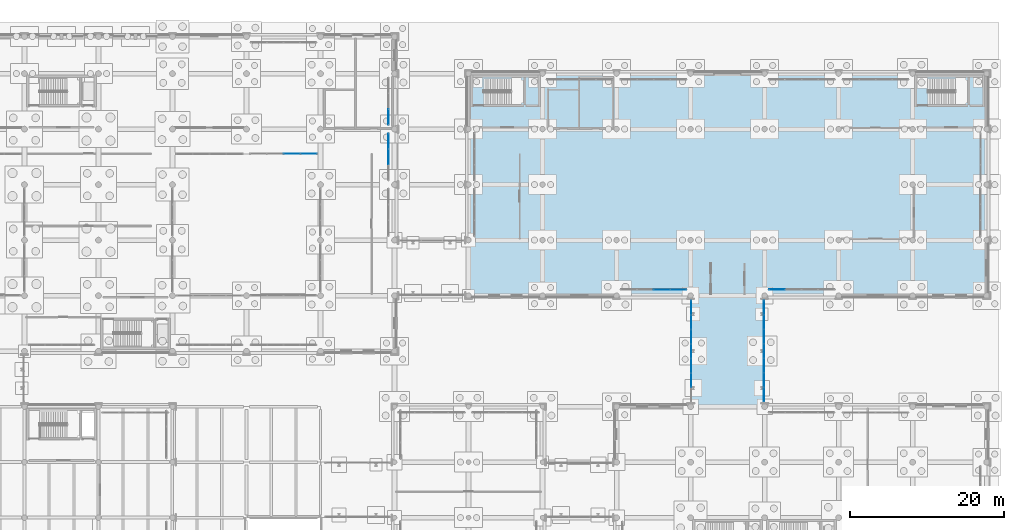
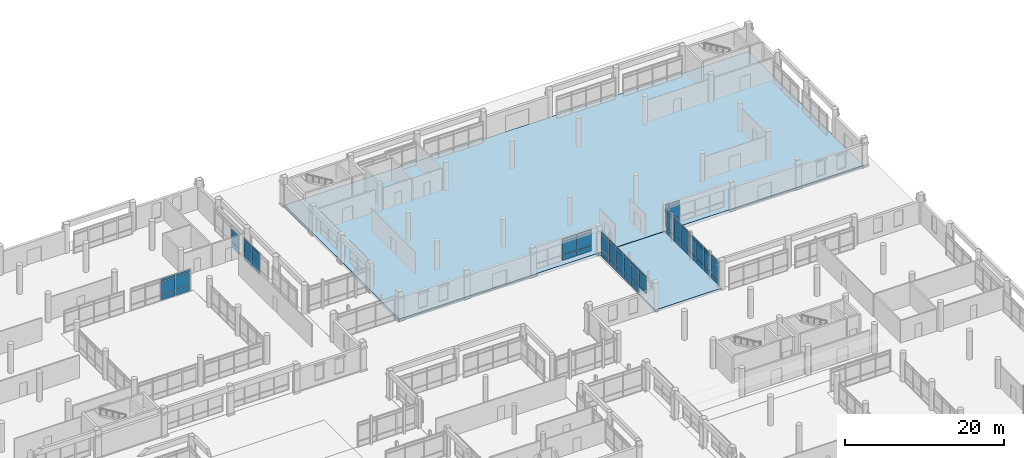
# One storey, part 153 of 196: 61 plates, 2 slabs, 7 elements without a shape of their own.
"""IFC4 building model written with IfcOpenShell, lengths in metres."""

import ifcopenshell
import ifcopenshell.guid

model = None  # the IFC model being written
_history = None  # IfcOwnerHistory: only IFC2X3 demands one
_inside = {}  # id of a spatial element -> (the spatial element, [elements in it])
_under = {}  # id of a project, library or spatial element -> (it, [spatial elements below it])
_declared = {}  # id of a project -> (the project, [libraries it declares])
_typed = {}  # id of a type object -> (the type object, [elements of that type])
_made_of = {}  # id of a material, layer set ... -> (it, [elements and type objects made of it])


def new_model(schema):
    """Start an empty IFC model of exactly this schema.

    Asked for "IFC4X3", IfcOpenShell would pick the latest addendum, in which some entities
    have other attributes; the version numbers below select the first issue.
    IFC2X3 requires an IfcOwnerHistory on every rooted entity: one is made here for all.
    """
    global model, _history
    if schema == "IFC4X3":
        model = ifcopenshell.file(schema_version=(4, 3, 0, 0))
    else:
        model = ifcopenshell.file(schema=schema)
    _inside.clear()
    _under.clear()
    _declared.clear()
    _typed.clear()
    _made_of.clear()
    _history = None
    if model.schema == "IFC2X3":
        org = make("IfcOrganization", Name="unknown")
        user = make(
            "IfcPersonAndOrganization",
            ThePerson=make("IfcPerson", FamilyName="unknown"),
            TheOrganization=org,
        )
        app = make(
            "IfcApplication",
            ApplicationDeveloper=org,
            Version="unknown",
            ApplicationFullName="unknown",
            ApplicationIdentifier="unknown",
        )
        _history = make(
            "IfcOwnerHistory",
            OwningUser=user,
            OwningApplication=app,
            ChangeAction="ADDED",
            CreationDate=0,
        )
    return model


def make(cls, **values):
    """One entity of the class cls with the attributes given. An attribute that is None is left unset."""
    return model.create_entity(
        cls, **{name: value for name, value in values.items() if value is not None}
    )


def rooted(cls, **values):
    """An entity with a GlobalId (a new one), such as an element, a storey or a relation."""
    return make(cls, GlobalId=ifcopenshell.guid.new(), OwnerHistory=_history, **values)


def si_unit(unit_type, name, prefix=None):
    """IfcSIUnit, for example si_unit("LENGTHUNIT", "METRE", prefix="MILLI")."""
    return make("IfcSIUnit", UnitType=unit_type, Prefix=prefix, Name=name)


def assignment(units):
    """IfcUnitAssignment: the units of a project."""
    return None if units is None else make("IfcUnitAssignment", Units=units)


def point(xyz):
    """IfcCartesianPoint."""
    return None if xyz is None else make("IfcCartesianPoint", Coordinates=xyz)


def direction(xyz):
    """IfcDirection."""
    return None if xyz is None else make("IfcDirection", DirectionRatios=xyz)


def frame(location, z_axis=None, x_axis=None):
    """IfcAxis2Placement3D, a coordinate frame: its origin and axes. An axis left out is left unset."""
    return make(
        "IfcAxis2Placement3D",
        Location=point(location),
        Axis=direction(z_axis),
        RefDirection=direction(x_axis),
    )


def frame_2d(location, x_axis=None):
    """IfcAxis2Placement2D, a coordinate frame in the plane: its origin and x axis."""
    return make(
        "IfcAxis2Placement2D", Location=point(location), RefDirection=direction(x_axis)
    )


def origin():
    """The frame at (0, 0, 0) with its axes left unset."""
    return frame((0.0, 0.0, 0.0))


def origin_2d():
    """The frame at (0, 0) in the plane with its x axis left unset."""
    return frame_2d((0.0, 0.0))


def place(relative_to, where):
    """IfcLocalPlacement: puts the frame where relative to a parent placement (None: the world)."""
    return make(
        "IfcLocalPlacement", PlacementRelTo=relative_to, RelativePlacement=where
    )


def context(
    kind, dimensions, precision=None, world=None, true_north=None, identifier=None
):
    """IfcGeometricRepresentationContext, for example the 3D "Model" context."""
    return make(
        "IfcGeometricRepresentationContext",
        ContextIdentifier=identifier,
        ContextType=kind,
        CoordinateSpaceDimension=dimensions,
        Precision=precision,
        WorldCoordinateSystem=world,
        TrueNorth=true_north,
    )


def subcontext(parent, identifier, kind, view, scale=None):
    """IfcGeometricRepresentationSubContext, for example "Body" below "Model"."""
    return make(
        "IfcGeometricRepresentationSubContext",
        ContextIdentifier=identifier,
        ContextType=kind,
        ParentContext=parent,
        TargetScale=scale,
        TargetView=view,
    )


def project(units=None, contexts=None):
    """IfcProject with its units and contexts."""
    return rooted(
        "IfcProject",
        Name="project",
        RepresentationContexts=contexts,
        UnitsInContext=assignment(units),
    )


def spatial(cls, under=None, at=None, **own):
    """A site, building, storey or space (cls), placed at a placement, below another one or the project."""
    s = rooted(cls, ObjectPlacement=at, **own)
    if under is not None:
        _under.setdefault(under.id(), (under, []))[1].append(s)
    return s


def polyline(points):
    """IfcPolyline through the points."""
    return make("IfcPolyline", Points=[point(p) for p in points])


def profile(cls, at=None, kind="AREA", **sizes):
    """A parametric profile (cls). Its sizes go by their IFC names, for example OverallWidth=200.0."""
    return make(cls, ProfileType=kind, Position=at, **sizes)


def rectangle(**sizes):
    """IfcRectangleProfileDef."""
    return profile("IfcRectangleProfileDef", **sizes)


def outline(outer, holes=None, kind="AREA"):
    """IfcArbitraryClosedProfileDef: a profile drawn as a closed curve; with holes, ...WithVoids."""
    if holes is None:
        return make("IfcArbitraryClosedProfileDef", ProfileType=kind, OuterCurve=outer)
    return make(
        "IfcArbitraryProfileDefWithVoids",
        ProfileType=kind,
        OuterCurve=outer,
        InnerCurves=holes,
    )


def extrude(swept, where, along, depth):
    """IfcExtrudedAreaSolid: the profile swept, set in the frame where, extruded along a direction by depth."""
    return make(
        "IfcExtrudedAreaSolid",
        SweptArea=swept,
        Position=where,
        ExtrudedDirection=direction(along),
        Depth=depth,
    )


def shape(context_of_items, identifier, shape_type, items):
    """IfcShapeRepresentation: the items that make up one representation, for example the "Body"."""
    return make(
        "IfcShapeRepresentation",
        ContextOfItems=context_of_items,
        RepresentationIdentifier=identifier,
        RepresentationType=shape_type,
        Items=items,
    )


def material(Name=None, Category=None):
    """IfcMaterial."""
    return make("IfcMaterial", Name=Name, Category=Category)


def layer(
    of_material, thickness, ventilated=None, Name=None, Category=None, Priority=None
):
    """IfcMaterialLayer: one layer of a wall or slab, of a material (None: an air gap)."""
    return make(
        "IfcMaterialLayer",
        Material=of_material,
        LayerThickness=thickness,
        IsVentilated=ventilated,
        Name=Name,
        Category=Category,
        Priority=Priority,
    )


def layer_set(layers, Name=None):
    """IfcMaterialLayerSet."""
    return make("IfcMaterialLayerSet", MaterialLayers=layers, LayerSetName=Name)


def made_of(thing, what):
    """Note that an element or type object is made of a material, layer set ...; save() writes the relation."""
    if what is not None:
        _made_of.setdefault(what.id(), (what, []))[1].append(thing)
    return thing


def type_object(cls, material=None, **own):
    """A type object (cls), such as IfcWallType, which elements share."""
    return made_of(rooted(cls, **own), material)


def element(
    cls,
    number,
    at=None,
    inside=None,
    cuts=None,
    type_object=None,
    material=None,
    context=None,
    identifier="Body",
    shape_type=None,
    held_by="IfcProductDefinitionShape",
    body=None,
    shapes=None,
    **own,
):
    """One element of the class cls, such as IfcWall. Its Tag is "e" and its number.

    at: its placement. inside: the storey or other place that contains it. cuts: it is an
    opening in that element (IfcRelVoidsElement). A single representation is given by context,
    identifier, shape_type and body (its items); several are given by shapes. held_by: the class
    of the entity that holds the representations. save() writes the other relations.
    """
    e = rooted(cls, Tag="e%d" % number, ObjectPlacement=at, **own)
    if body is not None:
        shapes = [shape(context, identifier, shape_type, body)]
    if shapes is not None:
        e.Representation = make(held_by, Representations=shapes)
    if inside is not None:
        _inside.setdefault(inside.id(), (inside, []))[1].append(e)
    if cuts is not None:
        rooted(
            "IfcRelVoidsElement", RelatingBuildingElement=cuts, RelatedOpeningElement=e
        )
    if type_object is not None:
        _typed.setdefault(type_object.id(), (type_object, []))[1].append(e)
    return made_of(e, material)


def aggregate(whole, parts):
    """IfcRelAggregates: a whole, such as a stair, and the parts it consists of."""
    return rooted("IfcRelAggregates", RelatingObject=whole, RelatedObjects=parts)


def save(model, path):
    """Write the relations noted so far, then the file.

    IfcRelAggregates (storeys below a building ...), IfcRelContainedInSpatialStructure (elements
    in a storey), IfcRelDefinesByType, IfcRelAssociatesMaterial and IfcRelDeclares: one each for
    every whole, place, type object, material and project.
    """
    for whole, parts in _under.values():
        aggregate(whole, parts)
    for where, things in _inside.values():
        rooted(
            "IfcRelContainedInSpatialStructure",
            RelatedElements=things,
            RelatingStructure=where,
        )
    for kind, things in _typed.values():
        rooted("IfcRelDefinesByType", RelatedObjects=things, RelatingType=kind)
    for what, things in _made_of.values():
        rooted("IfcRelAssociatesMaterial", RelatedObjects=things, RelatingMaterial=what)
    for by, libraries in _declared.values():
        rooted("IfcRelDeclares", RelatingContext=by, RelatedDefinitions=libraries)
    model.write(path)


model = new_model("IFC4")

# Units and contexts
model_context = context("Model", 3, precision=1e-05, world=origin(), true_north=direction((0.0, 1.0)))
body_context = subcontext(model_context, "Body", "Model", "MODEL_VIEW")
ifc_project = project(units=[si_unit("LENGTHUNIT", "METRE"), si_unit("AREAUNIT", "SQUARE_METRE"), si_unit("VOLUMEUNIT", "CUBIC_METRE"), si_unit("PLANEANGLEUNIT", "RADIAN"), si_unit("MASSUNIT", "GRAM", prefix="KILO")], contexts=[model_context])

# Site, building, storey
site_placement = place(None, origin())
site = spatial("IfcSite", under=ifc_project, at=site_placement, CompositionType="ELEMENT")
building_placement = place(site_placement, origin())
building = spatial("IfcBuilding", under=site, at=building_placement, Name="Asteropetra Specialist Clinic", CompositionType="ELEMENT")
storey_placement = place(building_placement, origin())
storey = spatial("IfcBuildingStorey", under=building, at=storey_placement, Name="L00", CompositionType="ELEMENT", Elevation=0.0)

# Curtain wall, plates
ifc_material_1 = material(Name="Aluminium and low-E glass", Category="aluminium")
ifc_layer_1 = layer(ifc_material_1, 0.14990234375)
ifc_layer_set_1 = layer_set([ifc_layer_1], Name="Aluminium and low-E glass")
curtain_wall_type_1 = type_object("IfcCurtainWallType", Name="CW-SYS-05", PredefinedType="USERDEFINED", material=ifc_layer_set_1)
curtain_wall_1_placement = place(storey_placement, origin())
curtain_wall_1 = element("IfcCurtainWall", 1, at=curtain_wall_1_placement, inside=storey, type_object=curtain_wall_type_1, Name="Curtain Wall CW-012", ObjectType="UNITISED CURTAIN WALL", PredefinedType="USERDEFINED")
ifc_material_2 = material(Name="Low-E double glazing", Category="glass")
ifc_layer_2 = layer(ifc_material_2, 0.028076171875)
ifc_layer_set_2 = layer_set([ifc_layer_2], Name="Low-E double glazing")
plate_type_1 = type_object("IfcPlateType", Name="CWP-GLZ-28", PredefinedType="CURTAIN_PANEL", material=ifc_layer_set_2)
plate_1_placement = place(storey_placement, frame((65.6513671875, 95.199951171875, 0.074951171875), z_axis=(0.0, 0.0, 1.0), x_axis=(-1.0, 0.0, 0.0)))
plate_1 = element("IfcPlate", 2, at=plate_1_placement, type_object=plate_type_1, Name="CW-012 panel 1.1", PredefinedType="CURTAIN_PANEL", context=body_context, shape_type="SweptSolid", body=[
    extrude(rectangle(XDim=2.0673828125, YDim=0.028076171875, at=origin_2d()), origin(), (0.0, 0.0, 1.0), 0.78759765625),
])
plate_2_placement = place(storey_placement, frame((65.6513671875, 95.199951171875, 0.9375), z_axis=(0.0, 0.0, 1.0), x_axis=(-1.0, 0.0, 0.0)))
plate_2 = element("IfcPlate", 3, at=plate_2_placement, type_object=plate_type_1, Name="CW-012 panel 1.2", PredefinedType="CURTAIN_PANEL", context=body_context, shape_type="SweptSolid", body=[
    extrude(rectangle(XDim=2.0673828125, YDim=0.028076171875, at=origin_2d()), origin(), (0.0, 0.0, 1.0), 1.945068359375),
])
plate_3_placement = place(storey_placement, frame((65.6513671875, 95.199951171875, 2.95751953125), z_axis=(0.0, 0.0, 1.0), x_axis=(-1.0, 0.0, 0.0)))
plate_3 = element("IfcPlate", 4, at=plate_3_placement, type_object=plate_type_1, Name="CW-012 panel 1.3", PredefinedType="CURTAIN_PANEL", context=body_context, shape_type="SweptSolid", body=[
    extrude(rectangle(XDim=2.0673828125, YDim=0.028076171875, at=origin_2d()), origin(), (0.0, 0.0, 1.0), 0.387451171875),
])
plate_4_placement = place(storey_placement, frame((63.489990234375, 95.199951171875, 0.074951171875), z_axis=(0.0, 0.0, 1.0), x_axis=(-1.0, 0.0, 0.0)))
plate_4 = element("IfcPlate", 5, at=plate_4_placement, type_object=plate_type_1, Name="CW-012 panel 2.1", PredefinedType="CURTAIN_PANEL", context=body_context, shape_type="SweptSolid", body=[
    extrude(rectangle(XDim=2.10498046875, YDim=0.028076171875, at=origin_2d()), origin(), (0.0, 0.0, 1.0), 0.78759765625),
])
plate_5_placement = place(storey_placement, frame((63.489990234375, 95.199951171875, 0.9375), z_axis=(0.0, 0.0, 1.0), x_axis=(-1.0, 0.0, 0.0)))
plate_5 = element("IfcPlate", 6, at=plate_5_placement, type_object=plate_type_1, Name="CW-012 panel 2.2", PredefinedType="CURTAIN_PANEL", context=body_context, shape_type="SweptSolid", body=[
    extrude(rectangle(XDim=2.10498046875, YDim=0.028076171875, at=origin_2d()), origin(), (0.0, 0.0, 1.0), 1.945068359375),
])
plate_6_placement = place(storey_placement, frame((63.489990234375, 95.199951171875, 2.95751953125), z_axis=(0.0, 0.0, 1.0), x_axis=(-1.0, 0.0, 0.0)))
plate_6 = element("IfcPlate", 7, at=plate_6_placement, type_object=plate_type_1, Name="CW-012 panel 2.3", PredefinedType="CURTAIN_PANEL", context=body_context, shape_type="SweptSolid", body=[
    extrude(rectangle(XDim=2.10498046875, YDim=0.028076171875, at=origin_2d()), origin(), (0.0, 0.0, 1.0), 0.387451171875),
])
aggregate(curtain_wall_1, [plate_1, plate_2, plate_3, plate_4, plate_5, plate_6])

ifc_material_3 = material(Name="Aluminium and low-E glass", Category="aluminium")
ifc_layer_3 = layer(ifc_material_3, 0.179931640625)
ifc_layer_set_3 = layer_set([ifc_layer_3], Name="Aluminium and low-E glass")
curtain_wall_type_2 = type_object("IfcCurtainWallType", Name="CW-SYS-10", PredefinedType="USERDEFINED", material=ifc_layer_set_3)
curtain_wall_2_placement = place(storey_placement, origin())
curtain_wall_2 = element("IfcCurtainWall", 8, at=curtain_wall_2_placement, inside=storey, type_object=curtain_wall_type_2, Name="Curtain Wall CW-208", ObjectType="STICK GLAZED COLONNADE", PredefinedType="USERDEFINED")
plate_7_placement = place(storey_placement, frame((111.472412109375, 77.580078125, 0.06494140625), z_axis=(0.0, 0.0, 1.0), x_axis=(1.0, 0.0, 0.0)))
plate_7 = element("IfcPlate", 9, at=plate_7_placement, type_object=plate_type_1, Name="CW-208 panel 3.1", PredefinedType="CURTAIN_PANEL", context=body_context, shape_type="SweptSolid", body=[
    extrude(rectangle(XDim=2.080078125, YDim=0.028076171875, at=origin_2d()), origin(), (0.0, 0.0, 1.0), 0.802490234375),
])
plate_8_placement = place(storey_placement, frame((111.472412109375, 77.580078125, 0.932373046875), z_axis=(0.0, 0.0, 1.0), x_axis=(1.0, 0.0, 0.0)))
plate_8 = element("IfcPlate", 10, at=plate_8_placement, type_object=plate_type_1, Name="CW-208 panel 3.2", PredefinedType="CURTAIN_PANEL", context=body_context, shape_type="SweptSolid", body=[
    extrude(rectangle(XDim=2.080078125, YDim=0.028076171875, at=origin_2d()), origin(), (0.0, 0.0, 1.0), 1.955078125),
])
plate_9_placement = place(storey_placement, frame((111.472412109375, 77.580078125, 2.95263671875), z_axis=(0.0, 0.0, 1.0), x_axis=(1.0, 0.0, 0.0)))
plate_9 = element("IfcPlate", 11, at=plate_9_placement, type_object=plate_type_1, Name="CW-208 panel 3.3", PredefinedType="CURTAIN_PANEL", context=body_context, shape_type="SweptSolid", body=[
    extrude(rectangle(XDim=2.080078125, YDim=0.028076171875, at=origin_2d()), origin(), (0.0, 0.0, 1.0), 0.402587890625),
])
plate_10_placement = place(storey_placement, frame((113.601318359375, 77.580078125, 0.06494140625), z_axis=(0.0, 0.0, 1.0), x_axis=(1.0, 0.0, 0.0)))
plate_10 = element("IfcPlate", 12, at=plate_10_placement, type_object=plate_type_1, Name="CW-208 panel 4.1", PredefinedType="CURTAIN_PANEL", context=body_context, shape_type="SweptSolid", body=[
    extrude(rectangle(XDim=2.047607421875, YDim=0.028076171875, at=origin_2d()), origin(), (0.0, 0.0, 1.0), 0.802490234375),
])
plate_11_placement = place(storey_placement, frame((113.601318359375, 77.580078125, 0.932373046875), z_axis=(0.0, 0.0, 1.0), x_axis=(1.0, 0.0, 0.0)))
plate_11 = element("IfcPlate", 13, at=plate_11_placement, type_object=plate_type_1, Name="CW-208 panel 4.2", PredefinedType="CURTAIN_PANEL", context=body_context, shape_type="SweptSolid", body=[
    extrude(rectangle(XDim=2.047607421875, YDim=0.028076171875, at=origin_2d()), origin(), (0.0, 0.0, 1.0), 1.955078125),
])
plate_12_placement = place(storey_placement, frame((113.601318359375, 77.580078125, 2.95263671875), z_axis=(0.0, 0.0, 1.0), x_axis=(1.0, 0.0, 0.0)))
plate_12 = element("IfcPlate", 14, at=plate_12_placement, type_object=plate_type_1, Name="CW-208 panel 4.3", PredefinedType="CURTAIN_PANEL", context=body_context, shape_type="SweptSolid", body=[
    extrude(rectangle(XDim=2.047607421875, YDim=0.028076171875, at=origin_2d()), origin(), (0.0, 0.0, 1.0), 0.402587890625),
])
aggregate(curtain_wall_2, [plate_7, plate_8, plate_9, plate_10, plate_11, plate_12])

ifc_material_4 = material(Name="Aluminium and low-E glass", Category="aluminium")
ifc_layer_4 = layer(ifc_material_4, 0.135009765625)
ifc_layer_set_4 = layer_set([ifc_layer_4], Name="Aluminium and low-E glass")
curtain_wall_type_3 = type_object("IfcCurtainWallType", Name="CW-SYS-12", PredefinedType="USERDEFINED", material=ifc_layer_set_4)
curtain_wall_3_placement = place(storey_placement, origin())
curtain_wall_3 = element("IfcCurtainWall", 15, at=curtain_wall_3_placement, inside=storey, type_object=curtain_wall_type_3, Name="Curtain Wall CW-117", ObjectType="STICK GLAZED COLONNADE", PredefinedType="USERDEFINED")
ifc_material_5 = material(Name="Low-E acoustic double glazing", Category="glass")
ifc_layer_5 = layer(ifc_material_5, 0.031982421875)
ifc_layer_set_5 = layer_set([ifc_layer_5], Name="Low-E acoustic double glazing")
plate_type_2 = type_object("IfcPlateType", Name="CWP-GLZ-32", PredefinedType="CURTAIN_PANEL", material=ifc_layer_set_5)
plate_13_placement = place(storey_placement, frame((115.280029296875, 65.834228515625, 0.9375), z_axis=(0.0, 0.0, 1.0), x_axis=(0.0, 1.0, 0.0)))
plate_13 = element("IfcPlate", 16, at=plate_13_placement, type_object=plate_type_2, Name="CW-117 panel 2.2", PredefinedType="CURTAIN_PANEL", context=body_context, shape_type="SweptSolid", body=[
    extrude(rectangle(XDim=1.807861328125, YDim=0.031982421875, at=origin_2d()), origin(), (0.0, 0.0, 1.0), 2.294921875),
])
plate_14_placement = place(storey_placement, frame((115.280029296875, 65.834228515625, 3.3076171875), z_axis=(0.0, 0.0, 1.0), x_axis=(0.0, 1.0, 0.0)))
plate_14 = element("IfcPlate", 17, at=plate_14_placement, type_object=plate_type_2, Name="CW-117 panel 2.3", PredefinedType="CURTAIN_PANEL", context=body_context, shape_type="SweptSolid", body=[
    extrude(rectangle(XDim=1.807861328125, YDim=0.031982421875, at=origin_2d()), origin(), (0.0, 0.0, 1.0), 0.387451171875),
])
plate_15_placement = place(storey_placement, frame((115.280029296875, 67.717041015625, 0.074951171875), z_axis=(0.0, 0.0, 1.0), x_axis=(0.0, 1.0, 0.0)))
plate_15 = element("IfcPlate", 18, at=plate_15_placement, type_object=plate_type_2, Name="CW-117 panel 3.1", PredefinedType="CURTAIN_PANEL", context=body_context, shape_type="SweptSolid", body=[
    extrude(rectangle(XDim=1.807861328125, YDim=0.031982421875, at=origin_2d()), origin(), (0.0, 0.0, 1.0), 0.78759765625),
])
plate_16_placement = place(storey_placement, frame((115.280029296875, 67.717041015625, 0.9375), z_axis=(0.0, 0.0, 1.0), x_axis=(0.0, 1.0, 0.0)))
plate_16 = element("IfcPlate", 19, at=plate_16_placement, type_object=plate_type_2, Name="CW-117 panel 3.2", PredefinedType="CURTAIN_PANEL", context=body_context, shape_type="SweptSolid", body=[
    extrude(rectangle(XDim=1.807861328125, YDim=0.031982421875, at=origin_2d()), origin(), (0.0, 0.0, 1.0), 2.294921875),
])
plate_17_placement = place(storey_placement, frame((115.280029296875, 67.717041015625, 3.3076171875), z_axis=(0.0, 0.0, 1.0), x_axis=(0.0, 1.0, 0.0)))
plate_17 = element("IfcPlate", 20, at=plate_17_placement, type_object=plate_type_2, Name="CW-117 panel 3.3", PredefinedType="CURTAIN_PANEL", context=body_context, shape_type="SweptSolid", body=[
    extrude(rectangle(XDim=1.807861328125, YDim=0.031982421875, at=origin_2d()), origin(), (0.0, 0.0, 1.0), 0.387451171875),
])
plate_18_placement = place(storey_placement, frame((115.280029296875, 69.60009765625, 0.074951171875), z_axis=(0.0, 0.0, 1.0), x_axis=(0.0, 1.0, 0.0)))
plate_18 = element("IfcPlate", 21, at=plate_18_placement, type_object=plate_type_2, Name="CW-117 panel 4.1", PredefinedType="CURTAIN_PANEL", context=body_context, shape_type="SweptSolid", body=[
    extrude(rectangle(XDim=1.807861328125, YDim=0.031982421875, at=origin_2d()), origin(), (0.0, 0.0, 1.0), 0.78759765625),
])
plate_19_placement = place(storey_placement, frame((115.280029296875, 69.60009765625, 0.9375), z_axis=(0.0, 0.0, 1.0), x_axis=(0.0, 1.0, 0.0)))
plate_19 = element("IfcPlate", 22, at=plate_19_placement, type_object=plate_type_2, Name="CW-117 panel 4.2", PredefinedType="CURTAIN_PANEL", context=body_context, shape_type="SweptSolid", body=[
    extrude(rectangle(XDim=1.807861328125, YDim=0.031982421875, at=origin_2d()), origin(), (0.0, 0.0, 1.0), 2.294921875),
])
plate_20_placement = place(storey_placement, frame((115.280029296875, 69.60009765625, 3.3076171875), z_axis=(0.0, 0.0, 1.0), x_axis=(0.0, 1.0, 0.0)))
plate_20 = element("IfcPlate", 23, at=plate_20_placement, type_object=plate_type_2, Name="CW-117 panel 4.3", PredefinedType="CURTAIN_PANEL", context=body_context, shape_type="SweptSolid", body=[
    extrude(rectangle(XDim=1.807861328125, YDim=0.031982421875, at=origin_2d()), origin(), (0.0, 0.0, 1.0), 0.387451171875),
])
plate_21_placement = place(storey_placement, frame((115.280029296875, 71.48291015625, 0.074951171875), z_axis=(0.0, 0.0, 1.0), x_axis=(0.0, 1.0, 0.0)))
plate_21 = element("IfcPlate", 24, at=plate_21_placement, type_object=plate_type_2, Name="CW-117 panel 5.1", PredefinedType="CURTAIN_PANEL", context=body_context, shape_type="SweptSolid", body=[
    extrude(rectangle(XDim=1.807861328125, YDim=0.031982421875, at=origin_2d()), origin(), (0.0, 0.0, 1.0), 0.78759765625),
])
plate_22_placement = place(storey_placement, frame((115.280029296875, 71.48291015625, 0.9375), z_axis=(0.0, 0.0, 1.0), x_axis=(0.0, 1.0, 0.0)))
plate_22 = element("IfcPlate", 25, at=plate_22_placement, type_object=plate_type_2, Name="CW-117 panel 5.2", PredefinedType="CURTAIN_PANEL", context=body_context, shape_type="SweptSolid", body=[
    extrude(rectangle(XDim=1.807861328125, YDim=0.031982421875, at=origin_2d()), origin(), (0.0, 0.0, 1.0), 2.294921875),
])
plate_23_placement = place(storey_placement, frame((115.280029296875, 71.48291015625, 3.3076171875), z_axis=(0.0, 0.0, 1.0), x_axis=(0.0, 1.0, 0.0)))
plate_23 = element("IfcPlate", 26, at=plate_23_placement, type_object=plate_type_2, Name="CW-117 panel 5.3", PredefinedType="CURTAIN_PANEL", context=body_context, shape_type="SweptSolid", body=[
    extrude(rectangle(XDim=1.807861328125, YDim=0.031982421875, at=origin_2d()), origin(), (0.0, 0.0, 1.0), 0.387451171875),
])
plate_24_placement = place(storey_placement, frame((115.280029296875, 73.36572265625, 0.074951171875), z_axis=(0.0, 0.0, 1.0), x_axis=(0.0, 1.0, 0.0)))
plate_24 = element("IfcPlate", 27, at=plate_24_placement, type_object=plate_type_2, Name="CW-117 panel 6.1", PredefinedType="CURTAIN_PANEL", context=body_context, shape_type="SweptSolid", body=[
    extrude(rectangle(XDim=1.807861328125, YDim=0.031982421875, at=origin_2d()), origin(), (0.0, 0.0, 1.0), 0.78759765625),
])
plate_25_placement = place(storey_placement, frame((115.280029296875, 73.36572265625, 0.9375), z_axis=(0.0, 0.0, 1.0), x_axis=(0.0, 1.0, 0.0)))
plate_25 = element("IfcPlate", 28, at=plate_25_placement, type_object=plate_type_2, Name="CW-117 panel 6.2", PredefinedType="CURTAIN_PANEL", context=body_context, shape_type="SweptSolid", body=[
    extrude(rectangle(XDim=1.807861328125, YDim=0.031982421875, at=origin_2d()), origin(), (0.0, 0.0, 1.0), 2.294921875),
])
plate_26_placement = place(storey_placement, frame((115.280029296875, 73.36572265625, 3.3076171875), z_axis=(0.0, 0.0, 1.0), x_axis=(0.0, 1.0, 0.0)))
plate_26 = element("IfcPlate", 29, at=plate_26_placement, type_object=plate_type_2, Name="CW-117 panel 6.3", PredefinedType="CURTAIN_PANEL", context=body_context, shape_type="SweptSolid", body=[
    extrude(rectangle(XDim=1.807861328125, YDim=0.031982421875, at=origin_2d()), origin(), (0.0, 0.0, 1.0), 0.387451171875),
])
plate_27_placement = place(storey_placement, frame((115.280029296875, 75.229736328125, 0.074951171875), z_axis=(0.0, 0.0, 1.0), x_axis=(0.0, 1.0, 0.0)))
plate_27 = element("IfcPlate", 30, at=plate_27_placement, type_object=plate_type_2, Name="CW-117 panel 7.1", PredefinedType="CURTAIN_PANEL", context=body_context, shape_type="SweptSolid", body=[
    extrude(rectangle(XDim=1.770263671875, YDim=0.031982421875, at=origin_2d()), origin(), (0.0, 0.0, 1.0), 0.78759765625),
])
plate_28_placement = place(storey_placement, frame((115.280029296875, 75.229736328125, 0.9375), z_axis=(0.0, 0.0, 1.0), x_axis=(0.0, 1.0, 0.0)))
plate_28 = element("IfcPlate", 31, at=plate_28_placement, type_object=plate_type_2, Name="CW-117 panel 7.2", PredefinedType="CURTAIN_PANEL", context=body_context, shape_type="SweptSolid", body=[
    extrude(rectangle(XDim=1.770263671875, YDim=0.031982421875, at=origin_2d()), origin(), (0.0, 0.0, 1.0), 2.294921875),
])
plate_29_placement = place(storey_placement, frame((115.280029296875, 75.229736328125, 3.3076171875), z_axis=(0.0, 0.0, 1.0), x_axis=(0.0, 1.0, 0.0)))
plate_29 = element("IfcPlate", 32, at=plate_29_placement, type_object=plate_type_2, Name="CW-117 panel 7.3", PredefinedType="CURTAIN_PANEL", context=body_context, shape_type="SweptSolid", body=[
    extrude(rectangle(XDim=1.770263671875, YDim=0.031982421875, at=origin_2d()), origin(), (0.0, 0.0, 1.0), 0.387451171875),
])
aggregate(curtain_wall_3, [plate_13, plate_14, plate_15, plate_16, plate_17, plate_18, plate_19, plate_20, plate_21, plate_22, plate_23, plate_24, plate_25, plate_26, plate_27, plate_28, plate_29])

ifc_material_6 = material(Name="Aluminium and low-E glass", Category="aluminium")
ifc_layer_6 = layer(ifc_material_6, 0.179931640625)
ifc_layer_set_6 = layer_set([ifc_layer_6], Name="Aluminium and low-E glass")
curtain_wall_type_4 = type_object("IfcCurtainWallType", Name="CW-SYS-01", PredefinedType="USERDEFINED", material=ifc_layer_set_6)
curtain_wall_4_placement = place(storey_placement, origin())
curtain_wall_4 = element("IfcCurtainWall", 33, at=curtain_wall_4_placement, inside=storey, type_object=curtain_wall_type_4, Name="Curtain Wall CW-118", ObjectType="UNITISED CURTAIN WALL", PredefinedType="USERDEFINED")
ifc_material_7 = material(Name="Solar-control triple glazing", Category="glass")
ifc_layer_7 = layer(ifc_material_7, 0.035888671875)
ifc_layer_set_7 = layer_set([ifc_layer_7], Name="Solar-control triple glazing")
plate_type_3 = type_object("IfcPlateType", Name="CWP-GLZ-36", PredefinedType="CURTAIN_PANEL", material=ifc_layer_set_7)
plate_30_placement = place(storey_placement, frame((124.719970703125, 75.232421875, 0.06494140625), z_axis=(0.0, 0.0, 1.0), x_axis=(0.0, -1.0, 0.0)))
plate_30 = element("IfcPlate", 34, at=plate_30_placement, type_object=plate_type_3, Name="CW-118 panel 1.1", PredefinedType="CURTAIN_PANEL", context=body_context, shape_type="SweptSolid", body=[
    extrude(rectangle(XDim=1.785400390625, YDim=0.035888671875, at=origin_2d()), origin(), (0.0, 0.0, 1.0), 0.802490234375),
])
plate_31_placement = place(storey_placement, frame((124.719970703125, 75.232421875, 0.9326171875), z_axis=(0.0, 0.0, 1.0), x_axis=(0.0, -1.0, 0.0)))
plate_31 = element("IfcPlate", 35, at=plate_31_placement, type_object=plate_type_3, Name="CW-118 panel 1.2", PredefinedType="CURTAIN_PANEL", context=body_context, shape_type="SweptSolid", body=[
    extrude(rectangle(XDim=1.785400390625, YDim=0.035888671875, at=origin_2d()), origin(), (0.0, 0.0, 1.0), 2.304931640625),
])
plate_32_placement = place(storey_placement, frame((124.719970703125, 75.232421875, 3.30224609375), z_axis=(0.0, 0.0, 1.0), x_axis=(0.0, -1.0, 0.0)))
plate_32 = element("IfcPlate", 36, at=plate_32_placement, type_object=plate_type_3, Name="CW-118 panel 1.3", PredefinedType="CURTAIN_PANEL", context=body_context, shape_type="SweptSolid", body=[
    extrude(rectangle(XDim=1.785400390625, YDim=0.035888671875, at=origin_2d()), origin(), (0.0, 0.0, 1.0), 0.402587890625),
])
plate_33_placement = place(storey_placement, frame((124.719970703125, 73.36572265625, 0.06494140625), z_axis=(0.0, 0.0, 1.0), x_axis=(0.0, -1.0, 0.0)))
plate_33 = element("IfcPlate", 37, at=plate_33_placement, type_object=plate_type_3, Name="CW-118 panel 2.1", PredefinedType="CURTAIN_PANEL", context=body_context, shape_type="SweptSolid", body=[
    extrude(rectangle(XDim=1.81787109375, YDim=0.035888671875, at=origin_2d()), origin(), (0.0, 0.0, 1.0), 0.802490234375),
])
plate_34_placement = place(storey_placement, frame((124.719970703125, 73.36572265625, 0.9326171875), z_axis=(0.0, 0.0, 1.0), x_axis=(0.0, -1.0, 0.0)))
plate_34 = element("IfcPlate", 38, at=plate_34_placement, type_object=plate_type_3, Name="CW-118 panel 2.2", PredefinedType="CURTAIN_PANEL", context=body_context, shape_type="SweptSolid", body=[
    extrude(rectangle(XDim=1.81787109375, YDim=0.035888671875, at=origin_2d()), origin(), (0.0, 0.0, 1.0), 2.304931640625),
])
plate_35_placement = place(storey_placement, frame((124.719970703125, 73.36572265625, 3.30224609375), z_axis=(0.0, 0.0, 1.0), x_axis=(0.0, -1.0, 0.0)))
plate_35 = element("IfcPlate", 39, at=plate_35_placement, type_object=plate_type_3, Name="CW-118 panel 2.3", PredefinedType="CURTAIN_PANEL", context=body_context, shape_type="SweptSolid", body=[
    extrude(rectangle(XDim=1.81787109375, YDim=0.035888671875, at=origin_2d()), origin(), (0.0, 0.0, 1.0), 0.402587890625),
])
plate_36_placement = place(storey_placement, frame((124.719970703125, 71.48291015625, 0.06494140625), z_axis=(0.0, 0.0, 1.0), x_axis=(0.0, -1.0, 0.0)))
plate_36 = element("IfcPlate", 40, at=plate_36_placement, type_object=plate_type_3, Name="CW-118 panel 3.1", PredefinedType="CURTAIN_PANEL", context=body_context, shape_type="SweptSolid", body=[
    extrude(rectangle(XDim=1.81787109375, YDim=0.035888671875, at=origin_2d()), origin(), (0.0, 0.0, 1.0), 0.802490234375),
])
plate_37_placement = place(storey_placement, frame((124.719970703125, 71.48291015625, 0.9326171875), z_axis=(0.0, 0.0, 1.0), x_axis=(0.0, -1.0, 0.0)))
plate_37 = element("IfcPlate", 41, at=plate_37_placement, type_object=plate_type_3, Name="CW-118 panel 3.2", PredefinedType="CURTAIN_PANEL", context=body_context, shape_type="SweptSolid", body=[
    extrude(rectangle(XDim=1.81787109375, YDim=0.035888671875, at=origin_2d()), origin(), (0.0, 0.0, 1.0), 2.304931640625),
])
plate_38_placement = place(storey_placement, frame((124.719970703125, 71.48291015625, 3.30224609375), z_axis=(0.0, 0.0, 1.0), x_axis=(0.0, -1.0, 0.0)))
plate_38 = element("IfcPlate", 42, at=plate_38_placement, type_object=plate_type_3, Name="CW-118 panel 3.3", PredefinedType="CURTAIN_PANEL", context=body_context, shape_type="SweptSolid", body=[
    extrude(rectangle(XDim=1.81787109375, YDim=0.035888671875, at=origin_2d()), origin(), (0.0, 0.0, 1.0), 0.402587890625),
])
plate_39_placement = place(storey_placement, frame((124.719970703125, 69.60009765625, 0.06494140625), z_axis=(0.0, 0.0, 1.0), x_axis=(0.0, -1.0, 0.0)))
plate_39 = element("IfcPlate", 43, at=plate_39_placement, type_object=plate_type_3, Name="CW-118 panel 4.1", PredefinedType="CURTAIN_PANEL", context=body_context, shape_type="SweptSolid", body=[
    extrude(rectangle(XDim=1.81787109375, YDim=0.035888671875, at=origin_2d()), origin(), (0.0, 0.0, 1.0), 0.802490234375),
])
plate_40_placement = place(storey_placement, frame((124.719970703125, 69.60009765625, 0.9326171875), z_axis=(0.0, 0.0, 1.0), x_axis=(0.0, -1.0, 0.0)))
plate_40 = element("IfcPlate", 44, at=plate_40_placement, type_object=plate_type_3, Name="CW-118 panel 4.2", PredefinedType="CURTAIN_PANEL", context=body_context, shape_type="SweptSolid", body=[
    extrude(rectangle(XDim=1.81787109375, YDim=0.035888671875, at=origin_2d()), origin(), (0.0, 0.0, 1.0), 2.304931640625),
])
plate_41_placement = place(storey_placement, frame((124.719970703125, 69.60009765625, 3.30224609375), z_axis=(0.0, 0.0, 1.0), x_axis=(0.0, -1.0, 0.0)))
plate_41 = element("IfcPlate", 45, at=plate_41_placement, type_object=plate_type_3, Name="CW-118 panel 4.3", PredefinedType="CURTAIN_PANEL", context=body_context, shape_type="SweptSolid", body=[
    extrude(rectangle(XDim=1.81787109375, YDim=0.035888671875, at=origin_2d()), origin(), (0.0, 0.0, 1.0), 0.402587890625),
])
plate_42_placement = place(storey_placement, frame((124.719970703125, 67.717041015625, 0.06494140625), z_axis=(0.0, 0.0, 1.0), x_axis=(0.0, -1.0, 0.0)))
plate_42 = element("IfcPlate", 46, at=plate_42_placement, type_object=plate_type_3, Name="CW-118 panel 5.1", PredefinedType="CURTAIN_PANEL", context=body_context, shape_type="SweptSolid", body=[
    extrude(rectangle(XDim=1.81787109375, YDim=0.035888671875, at=origin_2d()), origin(), (0.0, 0.0, 1.0), 0.802490234375),
])
plate_43_placement = place(storey_placement, frame((124.719970703125, 67.717041015625, 0.9326171875), z_axis=(0.0, 0.0, 1.0), x_axis=(0.0, -1.0, 0.0)))
plate_43 = element("IfcPlate", 47, at=plate_43_placement, type_object=plate_type_3, Name="CW-118 panel 5.2", PredefinedType="CURTAIN_PANEL", context=body_context, shape_type="SweptSolid", body=[
    extrude(rectangle(XDim=1.81787109375, YDim=0.035888671875, at=origin_2d()), origin(), (0.0, 0.0, 1.0), 2.304931640625),
])
plate_44_placement = place(storey_placement, frame((124.719970703125, 67.717041015625, 3.30224609375), z_axis=(0.0, 0.0, 1.0), x_axis=(0.0, -1.0, 0.0)))
plate_44 = element("IfcPlate", 48, at=plate_44_placement, type_object=plate_type_3, Name="CW-118 panel 5.3", PredefinedType="CURTAIN_PANEL", context=body_context, shape_type="SweptSolid", body=[
    extrude(rectangle(XDim=1.81787109375, YDim=0.035888671875, at=origin_2d()), origin(), (0.0, 0.0, 1.0), 0.402587890625),
])
plate_45_placement = place(storey_placement, frame((124.719970703125, 65.834228515625, 0.06494140625), z_axis=(0.0, 0.0, 1.0), x_axis=(0.0, -1.0, 0.0)))
plate_45 = element("IfcPlate", 49, at=plate_45_placement, type_object=plate_type_3, Name="CW-118 panel 6.1", PredefinedType="CURTAIN_PANEL", context=body_context, shape_type="SweptSolid", body=[
    extrude(rectangle(XDim=1.81787109375, YDim=0.035888671875, at=origin_2d()), origin(), (0.0, 0.0, 1.0), 0.802490234375),
])
plate_46_placement = place(storey_placement, frame((124.719970703125, 65.834228515625, 0.9326171875), z_axis=(0.0, 0.0, 1.0), x_axis=(0.0, -1.0, 0.0)))
plate_46 = element("IfcPlate", 50, at=plate_46_placement, type_object=plate_type_3, Name="CW-118 panel 6.2", PredefinedType="CURTAIN_PANEL", context=body_context, shape_type="SweptSolid", body=[
    extrude(rectangle(XDim=1.81787109375, YDim=0.035888671875, at=origin_2d()), origin(), (0.0, 0.0, 1.0), 2.304931640625),
])
plate_47_placement = place(storey_placement, frame((124.719970703125, 65.834228515625, 3.30224609375), z_axis=(0.0, 0.0, 1.0), x_axis=(0.0, -1.0, 0.0)))
plate_47 = element("IfcPlate", 51, at=plate_47_placement, type_object=plate_type_3, Name="CW-118 panel 6.3", PredefinedType="CURTAIN_PANEL", context=body_context, shape_type="SweptSolid", body=[
    extrude(rectangle(XDim=1.81787109375, YDim=0.035888671875, at=origin_2d()), origin(), (0.0, 0.0, 1.0), 0.402587890625),
])
plate_48_placement = place(storey_placement, frame((124.719970703125, 63.9677734375, 0.06494140625), z_axis=(0.0, 0.0, 1.0), x_axis=(0.0, -1.0, 0.0)))
plate_48 = element("IfcPlate", 52, at=plate_48_placement, type_object=plate_type_3, Name="CW-118 panel 7.1", PredefinedType="CURTAIN_PANEL", context=body_context, shape_type="SweptSolid", body=[
    extrude(rectangle(XDim=1.785400390625, YDim=0.035888671875, at=origin_2d()), origin(), (0.0, 0.0, 1.0), 0.802490234375),
])
plate_49_placement = place(storey_placement, frame((124.719970703125, 63.9677734375, 0.9326171875), z_axis=(0.0, 0.0, 1.0), x_axis=(0.0, -1.0, 0.0)))
plate_49 = element("IfcPlate", 53, at=plate_49_placement, type_object=plate_type_3, Name="CW-118 panel 7.2", PredefinedType="CURTAIN_PANEL", context=body_context, shape_type="SweptSolid", body=[
    extrude(rectangle(XDim=1.785400390625, YDim=0.035888671875, at=origin_2d()), origin(), (0.0, 0.0, 1.0), 2.304931640625),
])
plate_50_placement = place(storey_placement, frame((124.719970703125, 63.9677734375, 3.30224609375), z_axis=(0.0, 0.0, 1.0), x_axis=(0.0, -1.0, 0.0)))
plate_50 = element("IfcPlate", 54, at=plate_50_placement, type_object=plate_type_3, Name="CW-118 panel 7.3", PredefinedType="CURTAIN_PANEL", context=body_context, shape_type="SweptSolid", body=[
    extrude(rectangle(XDim=1.785400390625, YDim=0.035888671875, at=origin_2d()), origin(), (0.0, 0.0, 1.0), 0.402587890625),
])
aggregate(curtain_wall_4, [plate_30, plate_31, plate_32, plate_33, plate_34, plate_35, plate_36, plate_37, plate_38, plate_39, plate_40, plate_41, plate_42, plate_43, plate_44, plate_45, plate_46, plate_47, plate_48, plate_49, plate_50])

curtain_wall_5_placement = place(storey_placement, origin())
curtain_wall_5 = element("IfcCurtainWall", 55, at=curtain_wall_5_placement, inside=storey, type_object=curtain_wall_type_4, Name="Curtain Wall CW-190", ObjectType="UNITISED CURTAIN WALL", PredefinedType="USERDEFINED")
plate_51_placement = place(storey_placement, frame((76.02001953125, 94.800048828125, 0.06494140625), z_axis=(0.0, 0.0, 1.0), x_axis=(0.0, 1.0, 0.0)))
plate_51 = element("IfcPlate", 56, at=plate_51_placement, type_object=plate_type_3, Name="CW-190 panel 2.1", PredefinedType="CURTAIN_PANEL", context=body_context, shape_type="SweptSolid", body=[
    extrude(rectangle(XDim=1.978271484375, YDim=0.035888671875, at=origin_2d()), origin(), (0.0, 0.0, 1.0), 0.802490234375),
])
plate_52_placement = place(storey_placement, frame((76.02001953125, 94.800048828125, 0.932373046875), z_axis=(0.0, 0.0, 1.0), x_axis=(0.0, 1.0, 0.0)))
plate_52 = element("IfcPlate", 57, at=plate_52_placement, type_object=plate_type_3, Name="CW-190 panel 2.2", PredefinedType="CURTAIN_PANEL", context=body_context, shape_type="SweptSolid", body=[
    extrude(rectangle(XDim=1.978271484375, YDim=0.035888671875, at=origin_2d()), origin(), (0.0, 0.0, 1.0), 1.955078125),
])
plate_53_placement = place(storey_placement, frame((76.02001953125, 94.800048828125, 2.95263671875), z_axis=(0.0, 0.0, 1.0), x_axis=(0.0, 1.0, 0.0)))
plate_53 = element("IfcPlate", 58, at=plate_53_placement, type_object=plate_type_3, Name="CW-190 panel 2.3", PredefinedType="CURTAIN_PANEL", context=body_context, shape_type="SweptSolid", body=[
    extrude(rectangle(XDim=1.978271484375, YDim=0.035888671875, at=origin_2d()), origin(), (0.0, 0.0, 1.0), 0.402587890625),
])
plate_54_placement = place(storey_placement, frame((76.02001953125, 96.8271484375, 0.06494140625), z_axis=(0.0, 0.0, 1.0), x_axis=(0.0, 1.0, 0.0)))
plate_54 = element("IfcPlate", 59, at=plate_54_placement, type_object=plate_type_3, Name="CW-190 panel 3.1", PredefinedType="CURTAIN_PANEL", context=body_context, shape_type="SweptSolid", body=[
    extrude(rectangle(XDim=1.94580078125, YDim=0.035888671875, at=origin_2d()), origin(), (0.0, 0.0, 1.0), 0.802490234375),
])
plate_55_placement = place(storey_placement, frame((76.02001953125, 96.8271484375, 0.932373046875), z_axis=(0.0, 0.0, 1.0), x_axis=(0.0, 1.0, 0.0)))
plate_55 = element("IfcPlate", 60, at=plate_55_placement, type_object=plate_type_3, Name="CW-190 panel 3.2", PredefinedType="CURTAIN_PANEL", context=body_context, shape_type="SweptSolid", body=[
    extrude(rectangle(XDim=1.94580078125, YDim=0.035888671875, at=origin_2d()), origin(), (0.0, 0.0, 1.0), 1.955078125),
])
plate_56_placement = place(storey_placement, frame((76.02001953125, 96.8271484375, 2.95263671875), z_axis=(0.0, 0.0, 1.0), x_axis=(0.0, 1.0, 0.0)))
plate_56 = element("IfcPlate", 61, at=plate_56_placement, type_object=plate_type_3, Name="CW-190 panel 3.3", PredefinedType="CURTAIN_PANEL", context=body_context, shape_type="SweptSolid", body=[
    extrude(rectangle(XDim=1.94580078125, YDim=0.035888671875, at=origin_2d()), origin(), (0.0, 0.0, 1.0), 0.402587890625),
])
aggregate(curtain_wall_5, [plate_51, plate_52, plate_53, plate_54, plate_55, plate_56])

ifc_material_8 = material(Name="Aluminium and low-E glass", Category="aluminium")
ifc_layer_8 = layer(ifc_material_8, 0.135009765625)
ifc_layer_set_8 = layer_set([ifc_layer_8], Name="Aluminium and low-E glass")
curtain_wall_type_5 = type_object("IfcCurtainWallType", Name="CW-SYS-09", PredefinedType="USERDEFINED", material=ifc_layer_set_8)
curtain_wall_6_placement = place(storey_placement, origin())
curtain_wall_6 = element("IfcCurtainWall", 62, at=curtain_wall_6_placement, inside=storey, type_object=curtain_wall_type_5, Name="Curtain Wall CW-210", ObjectType="STICK GLAZED COLONNADE", PredefinedType="USERDEFINED")
plate_57_placement = place(storey_placement, frame((126.4013671875, 77.580078125, 0.074951171875), z_axis=(0.0, 0.0, 1.0), x_axis=(1.0, 0.0, 0.0)))
plate_57 = element("IfcPlate", 63, at=plate_57_placement, type_object=plate_type_3, Name="CW-210 panel 1.1", PredefinedType="CURTAIN_PANEL", context=body_context, shape_type="SweptSolid", body=[
    extrude(rectangle(XDim=2.032470703125, YDim=0.035888671875, at=origin_2d()), origin(), (0.0, 0.0, 1.0), 0.78759765625),
])
plate_58_placement = place(storey_placement, frame((126.4013671875, 77.580078125, 0.9375), z_axis=(0.0, 0.0, 1.0), x_axis=(1.0, 0.0, 0.0)))
plate_58 = element("IfcPlate", 64, at=plate_58_placement, type_object=plate_type_3, Name="CW-210 panel 1.2", PredefinedType="CURTAIN_PANEL", context=body_context, shape_type="SweptSolid", body=[
    extrude(rectangle(XDim=2.032470703125, YDim=0.035888671875, at=origin_2d()), origin(), (0.0, 0.0, 1.0), 1.945068359375),
])
plate_59_placement = place(storey_placement, frame((126.4013671875, 77.580078125, 2.95751953125), z_axis=(0.0, 0.0, 1.0), x_axis=(1.0, 0.0, 0.0)))
plate_59 = element("IfcPlate", 65, at=plate_59_placement, type_object=plate_type_3, Name="CW-210 panel 1.3", PredefinedType="CURTAIN_PANEL", context=body_context, shape_type="SweptSolid", body=[
    extrude(rectangle(XDim=2.032470703125, YDim=0.035888671875, at=origin_2d()), origin(), (0.0, 0.0, 1.0), 0.387451171875),
])
aggregate(curtain_wall_6, [plate_57, plate_58, plate_59])

curtain_wall_7_placement = place(storey_placement, origin())
curtain_wall_7 = element("IfcCurtainWall", 66, at=curtain_wall_7_placement, inside=storey, type_object=curtain_wall_type_3, Name="Curtain Wall CW-191", ObjectType="STICK GLAZED COLONNADE", PredefinedType="USERDEFINED")
ifc_material_9 = material(Name="Laminated skylight glazing", Category="glass")
ifc_layer_9 = layer(ifc_material_9, 0.0400390625)
ifc_layer_set_9 = layer_set([ifc_layer_9], Name="Laminated skylight glazing")
plate_type_4 = type_object("IfcPlateType", Name="CWP-GLZ-40", PredefinedType="CURTAIN_PANEL", material=ifc_layer_set_9)
plate_60_placement = place(storey_placement, frame((76.02001953125, 99.9716796875, 0.06005859375), z_axis=(0.0, 0.0, 1.0), x_axis=(0.0, 1.0, 0.0)))
plate_60 = element("IfcPlate", 67, at=plate_60_placement, type_object=plate_type_4, Name="CW-191 panel 1.1", PredefinedType="CURTAIN_PANEL", context=body_context, shape_type="SweptSolid", body=[
    extrude(rectangle(XDim=1.953369140625, YDim=0.0400390625, at=origin_2d()), origin(), (0.0, 0.0, 1.0), 0.81005859375),
])
plate_61_placement = place(storey_placement, frame((76.02001953125, 99.9716796875, 0.929931640625), z_axis=(0.0, 0.0, 1.0), x_axis=(0.0, 1.0, 0.0)))
plate_61 = element("IfcPlate", 68, at=plate_61_placement, type_object=plate_type_4, Name="CW-191 panel 1.2", PredefinedType="CURTAIN_PANEL", context=body_context, shape_type="SweptSolid", body=[
    extrude(rectangle(XDim=1.953369140625, YDim=0.0400390625, at=origin_2d()), origin(), (0.0, 0.0, 1.0), 1.9599609375),
])
aggregate(curtain_wall_7, [plate_60, plate_61])

# Slabs
ifc_material_10 = material(Name="Concrete C35/45", Category="concrete")
ifc_layer_10 = layer(ifc_material_10, 0.35009765625)
ifc_layer_set_10 = layer_set([ifc_layer_10], Name="Concrete C35/45")
slab_type_1 = type_object("IfcSlabType", Name="SLB-BASE-350", PredefinedType="BASESLAB", material=ifc_layer_set_10)
slab_1_placement = place(storey_placement, frame((0.0, 0.0, -0.35009765625)))
element("IfcSlab", 69, at=slab_1_placement, inside=storey, type_object=slab_type_1, Name="Slab LP5 L00", PredefinedType="BASESLAB", context=body_context, shape_type="SweptSolid", body=[
    extrude(outline(polyline([(115.199951171875, 62.43994140625), (124.800048828125, 62.43994140625), (124.800048828125, 76.760009765625), (115.199951171875, 76.760009765625), (115.199951171875, 62.43994140625)])), origin(), (0.0, 0.0, 1.0), 0.35009765625),
])
ifc_material_11 = material(Name="Concrete C35/45", Category="concrete")
ifc_layer_11 = layer(ifc_material_11, 0.449951171875)
ifc_layer_set_11 = layer_set([ifc_layer_11], Name="Concrete C35/45")
slab_type_2 = type_object("IfcSlabType", Name="SLB-BASE-450", PredefinedType="BASESLAB", material=ifc_layer_set_11)
slab_2_placement = place(storey_placement, frame((0.0, 0.0, -0.449951171875)))
element("IfcSlab", 70, at=slab_2_placement, inside=storey, type_object=slab_type_2, Name="Slab V1 L00", PredefinedType="BASESLAB", context=body_context, shape_type="SweptSolid", body=[
    extrude(outline(polyline([(86.39990234375, 76.800048828125), (153.60009765625, 76.800048828125), (153.60009765625, 105.60009765625), (86.39990234375, 105.60009765625), (86.39990234375, 76.800048828125)])), origin(), (0.0, 0.0, 1.0), 0.449951171875),
])

save(model, "model.ifc")
